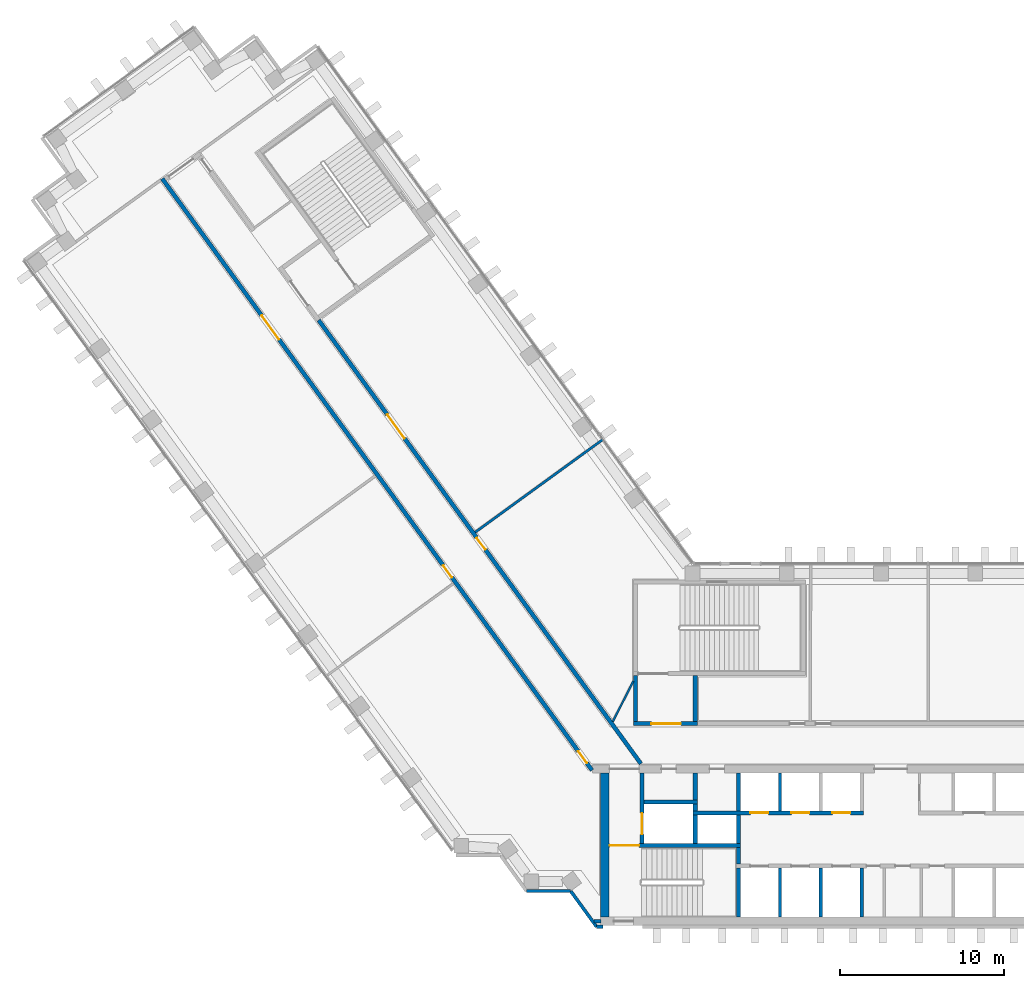
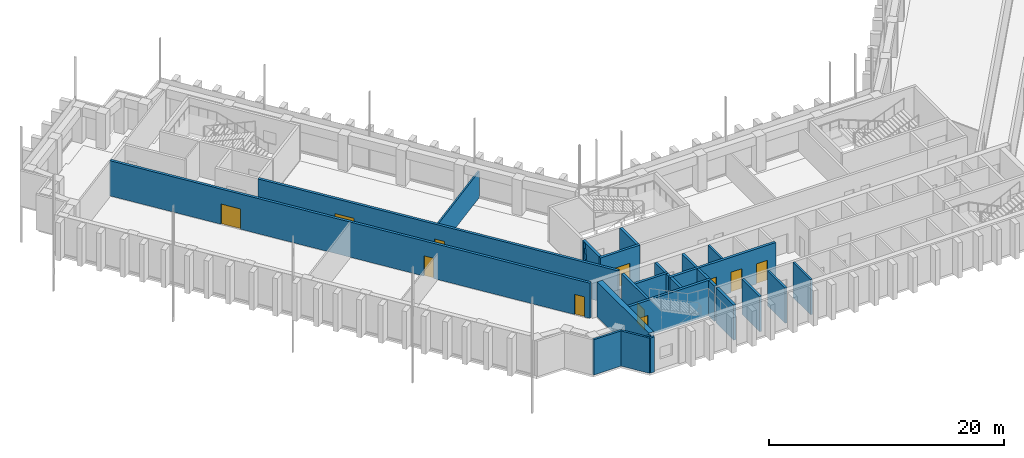
# One storey, part 10 of 18: 27 walls, 11 doors, 11 openings.
"""IFC4 building model written with IfcOpenShell, lengths in metres."""

from ifc_helpers import new_model, si_unit, direction, frame, frame_2d, origin, place, context, subcontext, project, spatial, rectangle, extrude, material, layer, layer_set, type_object, element, fill, save


model = new_model("IFC4")

# Units and contexts
model_context = context("Model", 3, precision=1e-05, world=origin(), true_north=direction((0.0, 1.0)))
body_context = subcontext(model_context, "Body", "Model", "MODEL_VIEW")
ifc_project = project(units=[si_unit("LENGTHUNIT", "METRE"), si_unit("AREAUNIT", "SQUARE_METRE"), si_unit("VOLUMEUNIT", "CUBIC_METRE"), si_unit("PLANEANGLEUNIT", "RADIAN"), si_unit("MASSUNIT", "GRAM", prefix="KILO")], contexts=[model_context])

# Site, building, storey
site_placement = place(None, origin())
site = spatial("IfcSite", under=ifc_project, at=site_placement, CompositionType="ELEMENT")
building_placement = place(site_placement, origin())
building = spatial("IfcBuilding", under=site, at=building_placement, Name="Quipu Civic Tower", CompositionType="ELEMENT")
storey_placement = place(building_placement, frame((0.0, 0.0, 71.0)))
storey = spatial("IfcBuildingStorey", under=building, at=storey_placement, Name="L16", CompositionType="ELEMENT", Elevation=71.0)

# Walls
ifc_material_1 = material(Name="Double gypsum plasterboard with mineral wool")
ifc_layer_1 = layer(ifc_material_1, 0.14990234375)
ifc_layer_set_1 = layer_set([ifc_layer_1], Name="Double gypsum plasterboard with mineral wool")
wall_type_1 = type_object("IfcWallType", Name="Acoustic partition 150 plasterboard", PredefinedType="PARTITIONING", material=ifc_layer_set_1)
wall_1_placement = place(storey_placement, frame((-19.856689453125, 18.688720703125, 0.0), z_axis=(0.0, 0.0, 1.0), x_axis=(-0.809002920164, -0.587804623294, 0.0)))
element("IfcWall", 1, at=wall_1_placement, inside=storey, type_object=wall_type_1, Name="Partition P08", PredefinedType="PARTITIONING", context=body_context, shape_type="SweptSolid", body=[
    extrude(rectangle(XDim=9.65087890625, YDim=0.14990234375, at=frame_2d((4.825439453125, 0.0))), origin(), (0.0, 0.0, 1.0), 2.75),
])
ifc_material_2 = material(Name="Concrete C70/85", Category="concrete")
ifc_layer_2 = layer(ifc_material_2, 0.25)
ifc_layer_set_2 = layer_set([ifc_layer_2], Name="Concrete C70/85")
wall_type_2 = type_object("IfcWallType", Name="Core wall 250", PredefinedType="SHEAR", material=ifc_layer_set_2)
wall_2_placement = place(storey_placement, frame((-11.574951171875, -10.5, 0.0), z_axis=(0.0, 0.0, 1.0), x_axis=(0.0, 1.0, 0.0)))
element("IfcWall", 2, at=wall_2_placement, inside=storey, type_object=wall_type_2, Name="Core wall", PredefinedType="SHEAR", context=body_context, shape_type="SweptSolid", body=[
    extrude(rectangle(XDim=3.0, YDim=0.25, at=frame_2d((1.5, 0.0))), origin(), (0.0, 0.0, 1.0), 3.64990234375),
])
wall_3_placement = place(storey_placement, frame((-11.574951171875, -7.25, 0.0), z_axis=(0.0, 0.0, 1.0), x_axis=(0.0, 1.0, 0.0)))
element("IfcWall", 3, at=wall_3_placement, inside=storey, type_object=wall_type_2, Name="Core wall", PredefinedType="SHEAR", context=body_context, shape_type="SweptSolid", body=[
    extrude(rectangle(XDim=1.0, YDim=0.25, at=frame_2d((0.5, 0.0))), origin(), (0.0, 0.0, 1.0), 3.64990234375),
])

# Wall, opening, door
wall_4_placement = place(storey_placement, frame((-11.449951171875, -6.125, 0.0), z_axis=(0.0, 0.0, 1.0), x_axis=(-1.0, 0.0, 0.0)))
wall_4 = element("IfcWall", 4, at=wall_4_placement, inside=storey, type_object=wall_type_2, Name="Core wall", PredefinedType="SHEAR", context=body_context, shape_type="SweptSolid", body=[
    extrude(rectangle(XDim=8.050048828125, YDim=0.25, at=frame_2d((4.02490234375, 0.0))), origin(), (0.0, 0.0, 1.0), 3.64990234375),
])
opening_1_placement = place(wall_4_placement, frame((6.199951171875, 0.0, 0.0)))
opening_1 = element("IfcOpeningElement", 5, at=opening_1_placement, cuts=wall_4, Name="Opening CD-04", PredefinedType="OPENING", context=body_context, shape_type="SweptSolid", body=[
    extrude(rectangle(XDim=1.800048828125, YDim=2.10009765625, at=frame_2d((0.89990234375, 1.050048828125))), frame((0.0, 0.135009765625, 0.0), z_axis=(0.0, -1.0, 0.0), x_axis=(1.0, 0.0, 0.0)), (0.0, 0.0, 1.0), 0.27001953125),
])
ifc_material_3 = material(Name="Fire rated steel door", Category="steel")
door_type_1 = type_object("IfcDoorType", Name="Fire door FD90 double 1800 x 2100", OperationType="NOTDEFINED", PredefinedType="DOOR", material=ifc_material_3)
door_1_placement = place(opening_1_placement, origin())
door_1 = element("IfcDoor", 6, at=door_1_placement, inside=storey, type_object=door_type_1, Name="Door", OperationType="DOUBLE_DOOR_SINGLE_SWING", OverallHeight=2.10009765625, OverallWidth=1.800048828125, PredefinedType="DOOR", context=body_context, shape_type="SweptSolid", body=[
    extrude(rectangle(XDim=1.800048828125, YDim=2.10009765625, at=frame_2d((0.89990234375, 1.050048828125))), frame((0.0, 0.02490234375, 0.0), z_axis=(0.0, -1.0, 0.0), x_axis=(1.0, 0.0, 0.0)), (0.0, 0.0, 1.0), 0.050048828125),
])
fill(opening_1, door_1)

wall_5_placement = place(storey_placement, frame((-17.47509765625, -6.0, 0.0), z_axis=(0.0, 0.0, 1.0), x_axis=(0.0, 1.0, 0.0)))
wall_5 = element("IfcWall", 7, at=wall_5_placement, inside=storey, type_object=wall_type_2, Name="Core wall", PredefinedType="SHEAR", context=body_context, shape_type="SweptSolid", body=[
    extrude(rectangle(XDim=4.300048828125, YDim=0.25, at=frame_2d((2.14990234375, 0.0))), origin(), (0.0, 0.0, 1.0), 3.64990234375),
])
opening_2_placement = place(wall_5_placement, frame((0.550048828125, 0.0, 0.0)))
opening_2 = element("IfcOpeningElement", 8, at=opening_2_placement, cuts=wall_5, Name="Opening LD-FF1", PredefinedType="OPENING", context=body_context, shape_type="SweptSolid", body=[
    extrude(rectangle(XDim=1.300048828125, YDim=2.10009765625, at=frame_2d((0.64990234375, 1.050048828125))), frame((0.0, 0.135009765625, 0.0), z_axis=(0.0, -1.0, 0.0), x_axis=(1.0, 0.0, 0.0)), (0.0, 0.0, 1.0), 0.27001953125),
])
ifc_material_4 = material(Name="Stainless steel", Category="steel")
door_type_2 = type_object("IfcDoorType", Name="Lift landing door 1300 x 2100", OperationType="DOUBLE_DOOR_SLIDING", PredefinedType="DOOR", material=ifc_material_4)
door_2_placement = place(opening_2_placement, origin())
door_2 = element("IfcDoor", 9, at=door_2_placement, inside=storey, type_object=door_type_2, Name="Landing door FF1", OperationType="DOUBLE_DOOR_SLIDING", OverallHeight=2.10009765625, OverallWidth=1.300048828125, PredefinedType="DOOR", context=body_context, shape_type="SweptSolid", body=[
    extrude(rectangle(XDim=1.300048828125, YDim=2.10009765625, at=frame_2d((0.64990234375, 1.050048828125))), frame((0.0, 0.02490234375, 0.0), z_axis=(0.0, -1.0, 0.0), x_axis=(1.0, 0.0, 0.0)), (0.0, 0.0, 1.0), 0.050048828125),
])
fill(opening_2, door_2)

# Walls
for number, where, z_axis, x_axis, name in (
    (10, (-14.22509765625, -6.0, 0.0), (0.0, 0.0, 1.0), (0.0, 1.0, 0.0), "Core wall"),
    (11, (-11.574951171875, -6.0, 0.0), (0.0, 0.0, 1.0), (0.0, 1.0, 0.0), "Core wall"),
):
    element("IfcWall", number, at=place(storey_placement, frame(where, z_axis=z_axis, x_axis=x_axis)), inside=storey, type_object=wall_type_2, Name=name, PredefinedType="SHEAR", context=body_context, shape_type="SweptSolid", body=[
        extrude(rectangle(XDim=1.75, YDim=0.25, at=frame_2d((0.875, 0.0))), origin(), (0.0, 0.0, 1.0), 3.64990234375),
    ])

# Wall, openings, doors
wall_6_placement = place(storey_placement, frame((-14.35009765625, -4.125, 0.0), z_axis=(0.0, 0.0, 1.0), x_axis=(1.0, 0.0, 0.0)))
wall_6 = element("IfcWall", 12, at=wall_6_placement, inside=storey, type_object=wall_type_2, Name="Core wall", PredefinedType="SHEAR", context=body_context, shape_type="SweptSolid", body=[
    extrude(rectangle(XDim=10.400146484375, YDim=0.25, at=frame_2d((5.2001953125, 0.0))), origin(), (0.0, 0.0, 1.0), 3.64990234375),
])
opening_3_placement = place(wall_6_placement, frame((3.5, 0.0, 0.0)))
opening_3 = element("IfcOpeningElement", 13, at=opening_3_placement, cuts=wall_6, Name="Opening LD-LL4", PredefinedType="OPENING", context=body_context, shape_type="SweptSolid", body=[
    extrude(rectangle(XDim=1.10009765625, YDim=2.10009765625, at=frame_2d((0.550048828125, 1.050048828125))), frame((0.0, 0.135009765625, 0.0), z_axis=(0.0, -1.0, 0.0), x_axis=(1.0, 0.0, 0.0)), (0.0, 0.0, 1.0), 0.27001953125),
])
opening_4_placement = place(wall_6_placement, frame((6.0, 0.0, 0.0)))
opening_4 = element("IfcOpeningElement", 14, at=opening_4_placement, cuts=wall_6, Name="Opening LD-LL5", PredefinedType="OPENING", context=body_context, shape_type="SweptSolid", body=[
    extrude(rectangle(XDim=1.10009765625, YDim=2.10009765625, at=frame_2d((0.550048828125, 1.050048828125))), frame((0.0, 0.135009765625, 0.0), z_axis=(0.0, -1.0, 0.0), x_axis=(1.0, 0.0, 0.0)), (0.0, 0.0, 1.0), 0.27001953125),
])
opening_5_placement = place(wall_6_placement, frame((8.5, 0.0, 0.0)))
opening_5 = element("IfcOpeningElement", 15, at=opening_5_placement, cuts=wall_6, Name="Opening LD-LL6", PredefinedType="OPENING", context=body_context, shape_type="SweptSolid", body=[
    extrude(rectangle(XDim=1.10009765625, YDim=2.10009765625, at=frame_2d((0.550048828125, 1.050048828125))), frame((0.0, 0.135009765625, 0.0), z_axis=(0.0, -1.0, 0.0), x_axis=(1.0, 0.0, 0.0)), (0.0, 0.0, 1.0), 0.27001953125),
])
ifc_material_5 = material(Name="Stainless steel", Category="steel")
door_type_3 = type_object("IfcDoorType", Name="Lift landing door 1100 x 2100", OperationType="DOUBLE_DOOR_SLIDING", PredefinedType="DOOR", material=ifc_material_5)
door_3_placement = place(opening_3_placement, origin())
door_3 = element("IfcDoor", 16, at=door_3_placement, inside=storey, type_object=door_type_3, Name="Landing door LL4", OperationType="DOUBLE_DOOR_SLIDING", OverallHeight=2.10009765625, OverallWidth=1.10009765625, PredefinedType="DOOR", context=body_context, shape_type="SweptSolid", body=[
    extrude(rectangle(XDim=1.10009765625, YDim=2.10009765625, at=frame_2d((0.550048828125, 1.050048828125))), frame((0.0, 0.02490234375, 0.0), z_axis=(0.0, -1.0, 0.0), x_axis=(1.0, 0.0, 0.0)), (0.0, 0.0, 1.0), 0.050048828125),
])
fill(opening_3, door_3)
door_4_placement = place(opening_4_placement, origin())
door_4 = element("IfcDoor", 17, at=door_4_placement, inside=storey, type_object=door_type_3, Name="Landing door LL5", OperationType="DOUBLE_DOOR_SLIDING", OverallHeight=2.10009765625, OverallWidth=1.10009765625, PredefinedType="DOOR", context=body_context, shape_type="SweptSolid", body=[
    extrude(rectangle(XDim=1.10009765625, YDim=2.10009765625, at=frame_2d((0.550048828125, 1.050048828125))), frame((0.0, 0.02490234375, 0.0), z_axis=(0.0, -1.0, 0.0), x_axis=(1.0, 0.0, 0.0)), (0.0, 0.0, 1.0), 0.050048828125),
])
fill(opening_4, door_4)
door_5_placement = place(opening_5_placement, origin())
door_5 = element("IfcDoor", 18, at=door_5_placement, inside=storey, type_object=door_type_3, Name="Landing door LL6", OperationType="DOUBLE_DOOR_SLIDING", OverallHeight=2.10009765625, OverallWidth=1.10009765625, PredefinedType="DOOR", context=body_context, shape_type="SweptSolid", body=[
    extrude(rectangle(XDim=1.10009765625, YDim=2.10009765625, at=frame_2d((0.550048828125, 1.050048828125))), frame((0.0, 0.02490234375, 0.0), z_axis=(0.0, -1.0, 0.0), x_axis=(1.0, 0.0, 0.0)), (0.0, 0.0, 1.0), 0.050048828125),
])
fill(opening_5, door_5)

# Walls
wall_7_placement = place(storey_placement, frame((-14.22509765625, -4.0, 0.0), z_axis=(0.0, 0.0, 1.0), x_axis=(0.0, 1.0, 0.0)))
element("IfcWall", 19, at=wall_7_placement, inside=storey, type_object=wall_type_2, Name="Core wall", PredefinedType="SHEAR", context=body_context, shape_type="SweptSolid", body=[
    extrude(rectangle(XDim=0.39990234375, YDim=0.25, at=frame_2d((0.199951171875, 0.0))), origin(), (0.0, 0.0, 1.0), 3.64990234375),
])
wall_8_placement = place(storey_placement, frame((-11.574951171875, -4.0, 0.0), z_axis=(0.0, 0.0, 1.0), x_axis=(0.0, 1.0, 0.0)))
element("IfcWall", 20, at=wall_8_placement, inside=storey, type_object=wall_type_2, Name="Core wall", PredefinedType="SHEAR", context=body_context, shape_type="SweptSolid", body=[
    extrude(rectangle(XDim=2.300048828125, YDim=0.25, at=frame_2d((1.14990234375, 0.0))), origin(), (0.0, 0.0, 1.0), 3.64990234375),
])
wall_9_placement = place(storey_placement, frame((-17.35009765625, -3.47509765625, 0.0), z_axis=(0.0, 0.0, 1.0), x_axis=(1.0, 0.0, 0.0)))
element("IfcWall", 21, at=wall_9_placement, inside=storey, type_object=wall_type_2, Name="Core wall", PredefinedType="SHEAR", context=body_context, shape_type="SweptSolid", body=[
    extrude(rectangle(XDim=3.25, YDim=0.25, at=frame_2d((1.625, 0.0))), origin(), (0.0, 0.0, 1.0), 3.64990234375),
])
wall_10_placement = place(storey_placement, frame((-14.22509765625, -3.35009765625, 0.0), z_axis=(0.0, 0.0, 1.0), x_axis=(0.0, 1.0, 0.0)))
element("IfcWall", 22, at=wall_10_placement, inside=storey, type_object=wall_type_2, Name="Core wall", PredefinedType="SHEAR", context=body_context, shape_type="SweptSolid", body=[
    extrude(rectangle(XDim=1.650146484375, YDim=0.25, at=frame_2d((0.8251953125, 0.0))), origin(), (0.0, 0.0, 1.0), 3.64990234375),
])

# Wall, opening, door
wall_11_placement = place(storey_placement, frame((-18.0, 1.324951171875, 0.0), z_axis=(0.0, 0.0, 1.0), x_axis=(1.0, 0.0, 0.0)))
wall_11 = element("IfcWall", 23, at=wall_11_placement, inside=storey, type_object=wall_type_2, Name="Core wall", PredefinedType="SHEAR", context=body_context, shape_type="SweptSolid", body=[
    extrude(rectangle(XDim=3.89990234375, YDim=0.25, at=frame_2d((1.949951171875, 0.0))), origin(), (0.0, 0.0, 1.0), 3.64990234375),
])
opening_6_placement = place(wall_11_placement, frame((1.10009765625, 0.0, 0.0)))
opening_6 = element("IfcOpeningElement", 24, at=opening_6_placement, cuts=wall_11, Name="Opening CD-15", PredefinedType="OPENING", context=body_context, shape_type="SweptSolid", body=[
    extrude(rectangle(XDim=1.800048828125, YDim=2.10009765625, at=frame_2d((0.89990234375, 1.050048828125))), frame((0.0, 0.135009765625, 0.0), z_axis=(0.0, -1.0, 0.0), x_axis=(1.0, 0.0, 0.0)), (0.0, 0.0, 1.0), 0.27001953125),
])
door_6_placement = place(opening_6_placement, origin())
door_6 = element("IfcDoor", 25, at=door_6_placement, inside=storey, type_object=door_type_1, Name="Lobby door", OperationType="DOUBLE_DOOR_SINGLE_SWING", OverallHeight=2.10009765625, OverallWidth=1.800048828125, PredefinedType="DOOR", context=body_context, shape_type="SweptSolid", body=[
    extrude(rectangle(XDim=1.800048828125, YDim=2.10009765625, at=frame_2d((0.89990234375, 1.050048828125))), frame((0.0, 0.02490234375, 0.0), z_axis=(0.0, -1.0, 0.0), x_axis=(1.0, 0.0, 0.0)), (0.0, 0.0, 1.0), 0.050048828125),
])
fill(opening_6, door_6)

# Walls
for number, where, z_axis, x_axis, name in (
    (26, (-17.875, 1.449951171875, 0.0), (0.0, 0.0, 1.0), (0.0, 1.0, 0.0), "Core wall"),
    (27, (-14.22509765625, 1.449951171875, 0.0), (0.0, 0.0, 1.0), (0.0, 1.0, 0.0), "Core wall"),
):
    element("IfcWall", number, at=place(storey_placement, frame(where, z_axis=z_axis, x_axis=x_axis)), inside=storey, type_object=wall_type_2, Name=name, PredefinedType="SHEAR", context=body_context, shape_type="SweptSolid", body=[
        extrude(rectangle(XDim=2.800048828125, YDim=0.25, at=frame_2d((1.39990234375, 0.0))), origin(), (0.0, 0.0, 1.0), 3.64990234375),
    ])
ifc_material_6 = material(Name="Concrete C70/85", Category="concrete")
ifc_layer_3 = layer(ifc_material_6, 0.5)
ifc_layer_set_3 = layer_set([ifc_layer_3], Name="Concrete C70/85")
wall_type_3 = type_object("IfcWallType", Name="Core wall 500", PredefinedType="SHEAR", material=ifc_layer_set_3)
wall_12_placement = place(storey_placement, frame((-19.75, -10.5, 0.0), z_axis=(0.0, 0.0, 1.0), x_axis=(0.0, 1.0, 0.0)))
element("IfcWall", 28, at=wall_12_placement, inside=storey, type_object=wall_type_3, Name="Core wall", PredefinedType="SHEAR", context=body_context, shape_type="SweptSolid", body=[
    extrude(rectangle(XDim=8.800048828125, YDim=0.5, at=frame_2d((4.39990234375, 0.0))), origin(), (0.0, 0.0, 1.0), 3.64990234375),
])

# Wall, openings, doors
ifc_material_7 = material(Name="Concrete C50/60", Category="concrete")
ifc_layer_4 = layer(ifc_material_7, 0.25)
ifc_layer_set_4 = layer_set([ifc_layer_4], Name="Concrete C50/60")
wall_type_4 = type_object("IfcWallType", Name="Corridor wall 250 concrete", PredefinedType="SOLIDWALL", material=ifc_layer_set_4)
wall_13_placement = place(storey_placement, frame((-20.531005859375, -1.5234375, 0.0), z_axis=(0.0, 0.0, 1.0), x_axis=(-0.587784593204, 0.809017473231, 0.0)))
wall_13 = element("IfcWall", 29, at=wall_13_placement, inside=storey, type_object=wall_type_4, Name="Corridor wall C01", PredefinedType="SOLIDWALL", context=body_context, shape_type="SweptSolid", body=[
    extrude(rectangle(XDim=44.67041015625, YDim=0.25, at=frame_2d((22.335205078125, 0.0))), origin(), (0.0, 0.0, 1.0), 3.64990234375),
])
opening_7_placement = place(wall_13_placement, frame((0.53271484375, 0.0, 0.0)))
opening_7 = element("IfcOpeningElement", 30, at=opening_7_placement, cuts=wall_13, Name="Opening D020", PredefinedType="OPENING", context=body_context, shape_type="SweptSolid", body=[
    extrude(rectangle(XDim=0.89990234375, YDim=2.10009765625, at=frame_2d((0.449951171875, 1.050048828125))), frame((0.0, 0.135009765625, 0.0), z_axis=(0.0, -1.0, 0.0), x_axis=(1.0, 0.0, 0.0)), (0.0, 0.0, 1.0), 0.27001953125),
])
opening_8_placement = place(wall_13_placement, frame((32.530517578125, 0.0, 0.0)))
opening_8 = element("IfcOpeningElement", 31, at=opening_8_placement, cuts=wall_13, Name="Opening D018", PredefinedType="OPENING", context=body_context, shape_type="SweptSolid", body=[
    extrude(rectangle(XDim=1.800048828125, YDim=2.10009765625, at=frame_2d((0.89990234375, 1.050048828125))), frame((0.0, 0.135009765625, 0.0), z_axis=(0.0, -1.0, 0.0), x_axis=(1.0, 0.0, 0.0)), (0.0, 0.0, 1.0), 0.27001953125),
])
opening_9_placement = place(wall_13_placement, frame((14.565673828125, 0.0, 0.0)))
opening_9 = element("IfcOpeningElement", 32, at=opening_9_placement, cuts=wall_13, Name="Opening D019", PredefinedType="OPENING", context=body_context, shape_type="SweptSolid", body=[
    extrude(rectangle(XDim=0.89990234375, YDim=2.10009765625, at=frame_2d((0.449951171875, 1.050048828125))), frame((0.0, 0.135009765625, 0.0), z_axis=(0.0, -1.0, 0.0), x_axis=(1.0, 0.0, 0.0)), (0.0, 0.0, 1.0), 0.27001953125),
])
ifc_material_8 = material(Name="Fire rated timber door set with metal frame", Category="wood")
door_type_4 = type_object("IfcDoorType", Name="Double door 1800 x 2100 FD60", OperationType="DOUBLE_DOOR_SINGLE_SWING", PredefinedType="DOOR", material=ifc_material_8)
door_7_placement = place(opening_8_placement, origin())
door_7 = element("IfcDoor", 33, at=door_7_placement, inside=storey, type_object=door_type_4, Name="Door D018", OperationType="DOUBLE_DOOR_SINGLE_SWING", OverallHeight=2.10009765625, OverallWidth=1.800048828125, PredefinedType="DOOR", context=body_context, shape_type="SweptSolid", body=[
    extrude(rectangle(XDim=1.800048828125, YDim=2.10009765625, at=frame_2d((0.89990234375, 1.050048828125))), frame((0.0, 0.02490234375, 0.0), z_axis=(0.0, -1.0, 0.0), x_axis=(1.0, 0.0, 0.0)), (0.0, 0.0, 1.0), 0.050048828125),
])
fill(opening_8, door_7)
ifc_material_9 = material(Name="Fire rated timber door set with metal frame", Category="wood")
door_type_5 = type_object("IfcDoorType", Name="Single door 900 x 2100 FD60", OperationType="NOTDEFINED", PredefinedType="DOOR", material=ifc_material_9)
door_8_placement = place(opening_7_placement, origin())
door_8 = element("IfcDoor", 34, at=door_8_placement, inside=storey, type_object=door_type_5, Name="Door D020", OperationType="SINGLE_SWING_LEFT", OverallHeight=2.10009765625, OverallWidth=0.89990234375, PredefinedType="DOOR", context=body_context, shape_type="SweptSolid", body=[
    extrude(rectangle(XDim=0.89990234375, YDim=2.10009765625, at=frame_2d((0.449951171875, 1.050048828125))), frame((0.0, 0.02490234375, 0.0), z_axis=(0.0, -1.0, 0.0), x_axis=(1.0, 0.0, 0.0)), (0.0, 0.0, 1.0), 0.050048828125),
])
fill(opening_7, door_8)
door_9_placement = place(opening_9_placement, origin())
door_9 = element("IfcDoor", 35, at=door_9_placement, inside=storey, type_object=door_type_5, Name="Door D019", OperationType="SINGLE_SWING_LEFT", OverallHeight=2.10009765625, OverallWidth=0.89990234375, PredefinedType="DOOR", context=body_context, shape_type="SweptSolid", body=[
    extrude(rectangle(XDim=0.89990234375, YDim=2.10009765625, at=frame_2d((0.449951171875, 1.050048828125))), frame((0.0, 0.02490234375, 0.0), z_axis=(0.0, -1.0, 0.0), x_axis=(1.0, 0.0, 0.0)), (0.0, 0.0, 1.0), 0.050048828125),
])
fill(opening_9, door_9)

wall_14_placement = place(storey_placement, frame((-37.231689453125, 25.9716796875, 0.0), z_axis=(0.0, 0.0, 1.0), x_axis=(0.587786323093, -0.809016216391, 0.0)))
wall_14 = element("IfcWall", 36, at=wall_14_placement, inside=storey, type_object=wall_type_4, Name="Corridor wall C04", PredefinedType="SOLIDWALL", context=body_context, shape_type="SweptSolid", body=[
    extrude(rectangle(XDim=33.4931640625, YDim=0.25, at=frame_2d((16.74658203125, 0.0))), origin(), (0.0, 0.0, 1.0), 3.64990234375),
])
opening_10_placement = place(wall_14_placement, frame((16.434814453125, 0.0, 0.0)))
opening_10 = element("IfcOpeningElement", 37, at=opening_10_placement, cuts=wall_14, Name="Opening D017", PredefinedType="OPENING", context=body_context, shape_type="SweptSolid", body=[
    extrude(rectangle(XDim=0.89990234375, YDim=2.10009765625, at=frame_2d((0.449951171875, 1.050048828125))), frame((0.0, 0.135009765625, 0.0), z_axis=(0.0, -1.0, 0.0), x_axis=(1.0, 0.0, 0.0)), (0.0, 0.0, 1.0), 0.27001953125),
])
opening_11_placement = place(wall_14_placement, frame((7.13720703125, 0.0, 0.0)))
opening_11 = element("IfcOpeningElement", 38, at=opening_11_placement, cuts=wall_14, Name="Opening D016", PredefinedType="OPENING", context=body_context, shape_type="SweptSolid", body=[
    extrude(rectangle(XDim=1.800048828125, YDim=2.10009765625, at=frame_2d((0.89990234375, 1.050048828125))), frame((0.0, 0.135009765625, 0.0), z_axis=(0.0, -1.0, 0.0), x_axis=(1.0, 0.0, 0.0)), (0.0, 0.0, 1.0), 0.27001953125),
])
door_10_placement = place(opening_11_placement, origin())
door_10 = element("IfcDoor", 39, at=door_10_placement, inside=storey, type_object=door_type_4, Name="Door D016", OperationType="DOUBLE_DOOR_SINGLE_SWING", OverallHeight=2.10009765625, OverallWidth=1.800048828125, PredefinedType="DOOR", context=body_context, shape_type="SweptSolid", body=[
    extrude(rectangle(XDim=1.800048828125, YDim=2.10009765625, at=frame_2d((0.89990234375, 1.050048828125))), frame((0.0, 0.02490234375, 0.0), z_axis=(0.0, -1.0, 0.0), x_axis=(1.0, 0.0, 0.0)), (0.0, 0.0, 1.0), 0.050048828125),
])
fill(opening_11, door_10)
door_11_placement = place(opening_10_placement, origin())
door_11 = element("IfcDoor", 40, at=door_11_placement, inside=storey, type_object=door_type_5, Name="Door D017", OperationType="SINGLE_SWING_LEFT", OverallHeight=2.10009765625, OverallWidth=0.89990234375, PredefinedType="DOOR", context=body_context, shape_type="SweptSolid", body=[
    extrude(rectangle(XDim=0.89990234375, YDim=2.10009765625, at=frame_2d((0.449951171875, 1.050048828125))), frame((0.0, 0.02490234375, 0.0), z_axis=(0.0, -1.0, 0.0), x_axis=(1.0, 0.0, 0.0)), (0.0, 0.0, 1.0), 0.050048828125),
])
fill(opening_10, door_11)

# Walls
ifc_material_10 = material(Name="Gypsum plasterboard on light gauge framing")
ifc_layer_5 = layer(ifc_material_10, 0.1201171875)
ifc_layer_set_5 = layer_set([ifc_layer_5], Name="Gypsum plasterboard on light gauge framing")
wall_type_5 = type_object("IfcWallType", Name="Partition 120 plasterboard", PredefinedType="PARTITIONING", material=ifc_layer_set_5)
wall_15_placement = place(storey_placement, frame((-19.260986328125, 1.449951171875, 0.0), z_axis=(0.0, 0.0, 1.0), x_axis=(0.453950796792, 0.891026752736, 0.0)))
element("IfcWall", 41, at=wall_15_placement, inside=storey, type_object=wall_type_5, Name="Partition P17", PredefinedType="PARTITIONING", context=body_context, shape_type="SweptSolid", body=[
    extrude(rectangle(XDim=2.77783203125, YDim=0.1201171875, at=frame_2d((1.388916015625, 0.0))), origin(), (0.0, 0.0, 1.0), 3.64990234375),
])
ifc_material_11 = material(Name="Precast concrete C40/50", Category="concrete")
wall_type_6 = type_object("IfcWallType", Name="Precast cladding wall", PredefinedType="SOLIDWALL", material=ifc_material_11)
wall_16_placement = place(storey_placement, frame((-24.542724609375, -8.90380859375, 0.0), z_axis=(0.0, 0.0, 1.0), x_axis=(1.0, 0.0, 0.0)))
element("IfcWall", 42, at=wall_16_placement, inside=storey, type_object=wall_type_6, Name="Precast cladding wall L16 P14", PredefinedType="SOLIDWALL", context=body_context, shape_type="SweptSolid", body=[
    extrude(rectangle(XDim=2.699951171875, YDim=0.199951171875, at=frame_2d((1.35009765625, 0.0))), origin(), (0.0, 0.0, 1.0), 3.64990234375),
])
wall_17_placement = place(storey_placement, frame((-21.8330078125, -8.90869140625, 0.0), z_axis=(0.0, 0.0, 1.0), x_axis=(0.587766567315, -0.809030569476, 0.0)))
element("IfcWall", 43, at=wall_17_placement, inside=storey, type_object=wall_type_6, Name="Precast cladding wall L16 P15", PredefinedType="SOLIDWALL", context=body_context, shape_type="SweptSolid", body=[
    extrude(rectangle(XDim=2.687744140625, YDim=0.199951171875, at=frame_2d((1.34375, 0.0))), origin(), (0.0, 0.0, 1.0), 3.64990234375),
])
wall_18_placement = place(storey_placement, frame((-20.255859375, -11.087890625, 0.0), z_axis=(0.0, 0.0, 1.0), x_axis=(1.0, 0.0, 0.0)))
element("IfcWall", 44, at=wall_18_placement, inside=storey, type_object=wall_type_6, Name="Precast cladding wall L16 P16", PredefinedType="SOLIDWALL", context=body_context, shape_type="SweptSolid", body=[
    extrude(rectangle(XDim=0.40576171875, YDim=0.199951171875, at=frame_2d((0.202880859375, 0.0))), origin(), (0.0, 0.0, 1.0), 3.64990234375),
])
wall_19_placement = place(storey_placement, frame((-19.97998046875, -10.75, 0.0), z_axis=(0.0, 0.0, 1.0), x_axis=(-1.0, 0.0, 0.0)))
element("IfcWall", 45, at=wall_19_placement, inside=storey, type_object=wall_type_6, Name="Precast cladding return L16 W", PredefinedType="SOLIDWALL", context=body_context, shape_type="SweptSolid", body=[
    extrude(rectangle(XDim=0.41650390625, YDim=0.199951171875, at=frame_2d((0.208251953125, 0.0))), origin(), (0.0, 0.0, 1.0), 3.64990234375),
])
ifc_material_12 = material(Name="Concrete C40/50", Category="concrete")
ifc_layer_6 = layer(ifc_material_12, 0.199951171875)
ifc_layer_set_6 = layer_set([ifc_layer_6], Name="Concrete C40/50")
wall_type_7 = type_object("IfcWallType", Name="Shaft wall 200", PredefinedType="SOLIDWALL", material=ifc_layer_set_6)
for number, where, z_axis, x_axis, name in (
    (46, (-9.050048828125, -10.5, 0.0), (0.0, 0.0, 1.0), (0.0, 1.0, 0.0), "Shaft wall"),
    (47, (-6.550048828125, -10.5, 0.0), (0.0, 0.0, 1.0), (0.0, 1.0, 0.0), "Shaft wall"),
    (48, (-4.050048828125, -10.5, 0.0), (0.0, 0.0, 1.0), (0.0, 1.0, 0.0), "Shaft wall"),
):
    element("IfcWall", number, at=place(storey_placement, frame(where, z_axis=z_axis, x_axis=x_axis)), inside=storey, type_object=wall_type_7, Name=name, PredefinedType="SOLIDWALL", context=body_context, shape_type="SweptSolid", body=[
        extrude(rectangle(XDim=3.0, YDim=0.199951171875, at=frame_2d((1.5, 0.0))), origin(), (0.0, 0.0, 1.0), 3.64990234375),
    ])
wall_20_placement = place(storey_placement, frame((-9.050048828125, -4.0, 0.0), z_axis=(0.0, 0.0, 1.0), x_axis=(0.0, 1.0, 0.0)))
element("IfcWall", 49, at=wall_20_placement, inside=storey, type_object=wall_type_7, Name="Shaft wall", PredefinedType="SOLIDWALL", context=body_context, shape_type="SweptSolid", body=[
    extrude(rectangle(XDim=2.300048828125, YDim=0.199951171875, at=frame_2d((1.14990234375, 0.0))), origin(), (0.0, 0.0, 1.0), 3.64990234375),
])

save(model, "model.ifc")
